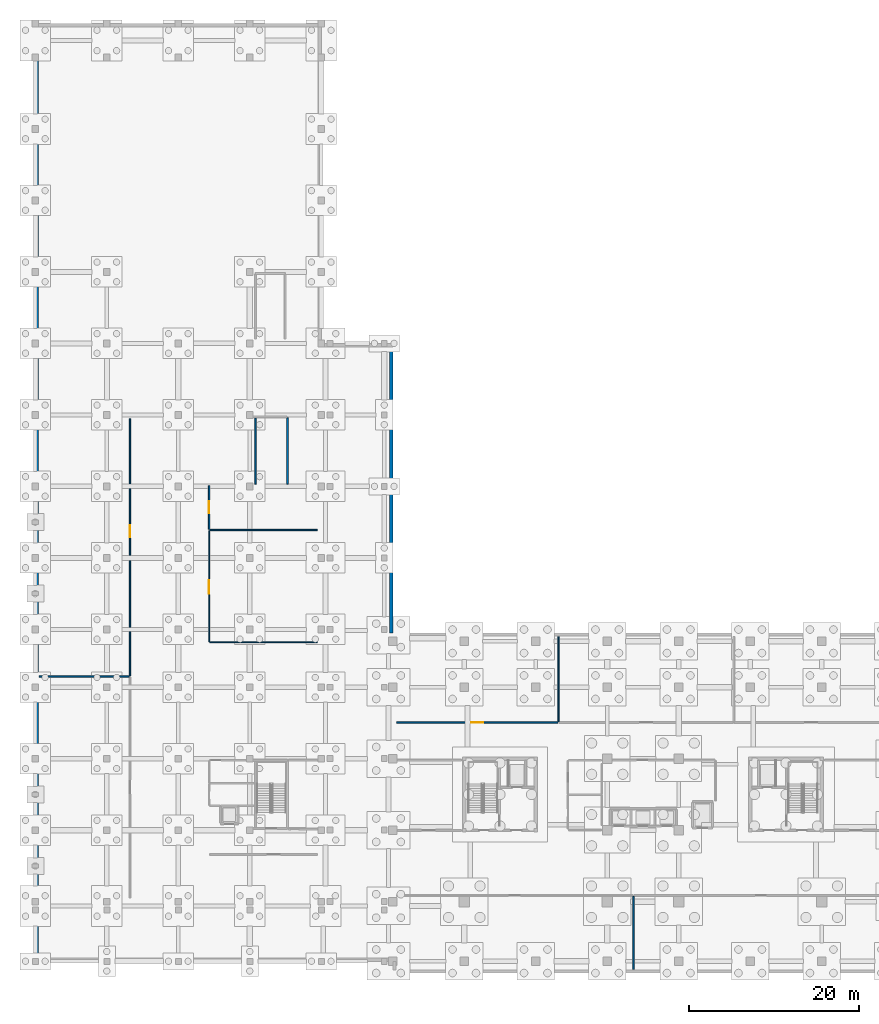
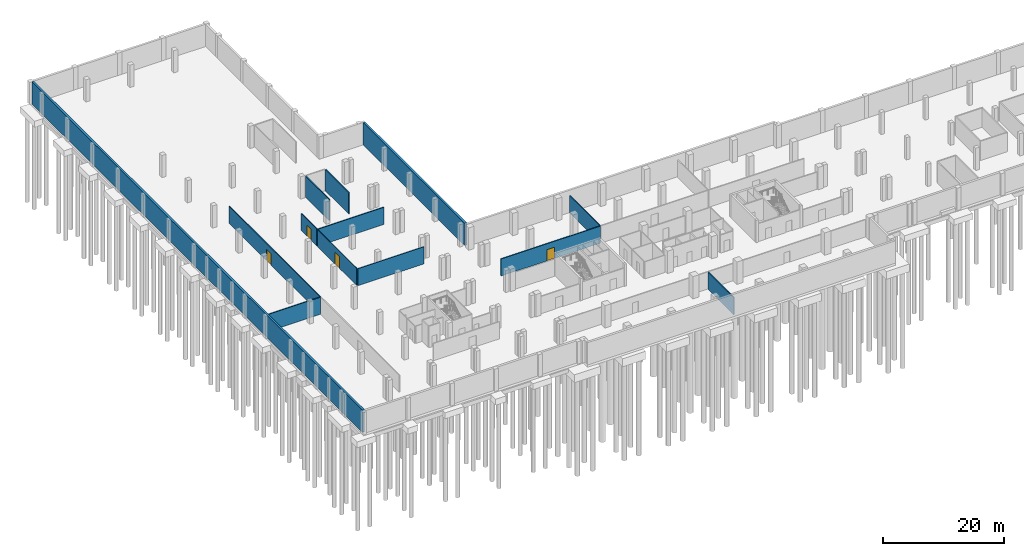
# One storey, part 11 of 17: 13 walls, 4 doors, 4 openings.
"""IFC4 building model written with IfcOpenShell, lengths in metres."""

import ifcopenshell
import ifcopenshell.guid

model = None  # the IFC model being written
_history = None  # IfcOwnerHistory: only IFC2X3 demands one
_inside = {}  # id of a spatial element -> (the spatial element, [elements in it])
_under = {}  # id of a project, library or spatial element -> (it, [spatial elements below it])
_declared = {}  # id of a project -> (the project, [libraries it declares])
_typed = {}  # id of a type object -> (the type object, [elements of that type])
_made_of = {}  # id of a material, layer set ... -> (it, [elements and type objects made of it])


def new_model(schema):
    """Start an empty IFC model of exactly this schema.

    Asked for "IFC4X3", IfcOpenShell would pick the latest addendum, in which some entities
    have other attributes; the version numbers below select the first issue.
    IFC2X3 requires an IfcOwnerHistory on every rooted entity: one is made here for all.
    """
    global model, _history
    if schema == "IFC4X3":
        model = ifcopenshell.file(schema_version=(4, 3, 0, 0))
    else:
        model = ifcopenshell.file(schema=schema)
    _inside.clear()
    _under.clear()
    _declared.clear()
    _typed.clear()
    _made_of.clear()
    _history = None
    if model.schema == "IFC2X3":
        org = make("IfcOrganization", Name="unknown")
        user = make(
            "IfcPersonAndOrganization",
            ThePerson=make("IfcPerson", FamilyName="unknown"),
            TheOrganization=org,
        )
        app = make(
            "IfcApplication",
            ApplicationDeveloper=org,
            Version="unknown",
            ApplicationFullName="unknown",
            ApplicationIdentifier="unknown",
        )
        _history = make(
            "IfcOwnerHistory",
            OwningUser=user,
            OwningApplication=app,
            ChangeAction="ADDED",
            CreationDate=0,
        )
    return model


def make(cls, **values):
    """One entity of the class cls with the attributes given. An attribute that is None is left unset."""
    return model.create_entity(
        cls, **{name: value for name, value in values.items() if value is not None}
    )


def rooted(cls, **values):
    """An entity with a GlobalId (a new one), such as an element, a storey or a relation."""
    return make(cls, GlobalId=ifcopenshell.guid.new(), OwnerHistory=_history, **values)


def si_unit(unit_type, name, prefix=None):
    """IfcSIUnit, for example si_unit("LENGTHUNIT", "METRE", prefix="MILLI")."""
    return make("IfcSIUnit", UnitType=unit_type, Prefix=prefix, Name=name)


def assignment(units):
    """IfcUnitAssignment: the units of a project."""
    return None if units is None else make("IfcUnitAssignment", Units=units)


def point(xyz):
    """IfcCartesianPoint."""
    return None if xyz is None else make("IfcCartesianPoint", Coordinates=xyz)


def direction(xyz):
    """IfcDirection."""
    return None if xyz is None else make("IfcDirection", DirectionRatios=xyz)


def frame(location, z_axis=None, x_axis=None):
    """IfcAxis2Placement3D, a coordinate frame: its origin and axes. An axis left out is left unset."""
    return make(
        "IfcAxis2Placement3D",
        Location=point(location),
        Axis=direction(z_axis),
        RefDirection=direction(x_axis),
    )


def frame_2d(location, x_axis=None):
    """IfcAxis2Placement2D, a coordinate frame in the plane: its origin and x axis."""
    return make(
        "IfcAxis2Placement2D", Location=point(location), RefDirection=direction(x_axis)
    )


def origin():
    """The frame at (0, 0, 0) with its axes left unset."""
    return frame((0.0, 0.0, 0.0))


def place(relative_to, where):
    """IfcLocalPlacement: puts the frame where relative to a parent placement (None: the world)."""
    return make(
        "IfcLocalPlacement", PlacementRelTo=relative_to, RelativePlacement=where
    )


def context(
    kind, dimensions, precision=None, world=None, true_north=None, identifier=None
):
    """IfcGeometricRepresentationContext, for example the 3D "Model" context."""
    return make(
        "IfcGeometricRepresentationContext",
        ContextIdentifier=identifier,
        ContextType=kind,
        CoordinateSpaceDimension=dimensions,
        Precision=precision,
        WorldCoordinateSystem=world,
        TrueNorth=true_north,
    )


def subcontext(parent, identifier, kind, view, scale=None):
    """IfcGeometricRepresentationSubContext, for example "Body" below "Model"."""
    return make(
        "IfcGeometricRepresentationSubContext",
        ContextIdentifier=identifier,
        ContextType=kind,
        ParentContext=parent,
        TargetScale=scale,
        TargetView=view,
    )


def project(units=None, contexts=None):
    """IfcProject with its units and contexts."""
    return rooted(
        "IfcProject",
        Name="project",
        RepresentationContexts=contexts,
        UnitsInContext=assignment(units),
    )


def spatial(cls, under=None, at=None, **own):
    """A site, building, storey or space (cls), placed at a placement, below another one or the project."""
    s = rooted(cls, ObjectPlacement=at, **own)
    if under is not None:
        _under.setdefault(under.id(), (under, []))[1].append(s)
    return s


def profile(cls, at=None, kind="AREA", **sizes):
    """A parametric profile (cls). Its sizes go by their IFC names, for example OverallWidth=200.0."""
    return make(cls, ProfileType=kind, Position=at, **sizes)


def rectangle(**sizes):
    """IfcRectangleProfileDef."""
    return profile("IfcRectangleProfileDef", **sizes)


def extrude(swept, where, along, depth):
    """IfcExtrudedAreaSolid: the profile swept, set in the frame where, extruded along a direction by depth."""
    return make(
        "IfcExtrudedAreaSolid",
        SweptArea=swept,
        Position=where,
        ExtrudedDirection=direction(along),
        Depth=depth,
    )


def shape(context_of_items, identifier, shape_type, items):
    """IfcShapeRepresentation: the items that make up one representation, for example the "Body"."""
    return make(
        "IfcShapeRepresentation",
        ContextOfItems=context_of_items,
        RepresentationIdentifier=identifier,
        RepresentationType=shape_type,
        Items=items,
    )


def material(Name=None, Category=None):
    """IfcMaterial."""
    return make("IfcMaterial", Name=Name, Category=Category)


def layer(
    of_material, thickness, ventilated=None, Name=None, Category=None, Priority=None
):
    """IfcMaterialLayer: one layer of a wall or slab, of a material (None: an air gap)."""
    return make(
        "IfcMaterialLayer",
        Material=of_material,
        LayerThickness=thickness,
        IsVentilated=ventilated,
        Name=Name,
        Category=Category,
        Priority=Priority,
    )


def layer_set(layers, Name=None):
    """IfcMaterialLayerSet."""
    return make("IfcMaterialLayerSet", MaterialLayers=layers, LayerSetName=Name)


def made_of(thing, what):
    """Note that an element or type object is made of a material, layer set ...; save() writes the relation."""
    if what is not None:
        _made_of.setdefault(what.id(), (what, []))[1].append(thing)
    return thing


def type_object(cls, material=None, **own):
    """A type object (cls), such as IfcWallType, which elements share."""
    return made_of(rooted(cls, **own), material)


def element(
    cls,
    number,
    at=None,
    inside=None,
    cuts=None,
    type_object=None,
    material=None,
    context=None,
    identifier="Body",
    shape_type=None,
    held_by="IfcProductDefinitionShape",
    body=None,
    shapes=None,
    **own,
):
    """One element of the class cls, such as IfcWall. Its Tag is "e" and its number.

    at: its placement. inside: the storey or other place that contains it. cuts: it is an
    opening in that element (IfcRelVoidsElement). A single representation is given by context,
    identifier, shape_type and body (its items); several are given by shapes. held_by: the class
    of the entity that holds the representations. save() writes the other relations.
    """
    e = rooted(cls, Tag="e%d" % number, ObjectPlacement=at, **own)
    if body is not None:
        shapes = [shape(context, identifier, shape_type, body)]
    if shapes is not None:
        e.Representation = make(held_by, Representations=shapes)
    if inside is not None:
        _inside.setdefault(inside.id(), (inside, []))[1].append(e)
    if cuts is not None:
        rooted(
            "IfcRelVoidsElement", RelatingBuildingElement=cuts, RelatedOpeningElement=e
        )
    if type_object is not None:
        _typed.setdefault(type_object.id(), (type_object, []))[1].append(e)
    return made_of(e, material)


def fill(opening, filler):
    """IfcRelFillsElement: the door or window that sits in an opening."""
    return rooted(
        "IfcRelFillsElement",
        RelatingOpeningElement=opening,
        RelatedBuildingElement=filler,
    )


def aggregate(whole, parts):
    """IfcRelAggregates: a whole, such as a stair, and the parts it consists of."""
    return rooted("IfcRelAggregates", RelatingObject=whole, RelatedObjects=parts)


def save(model, path):
    """Write the relations noted so far, then the file.

    IfcRelAggregates (storeys below a building ...), IfcRelContainedInSpatialStructure (elements
    in a storey), IfcRelDefinesByType, IfcRelAssociatesMaterial and IfcRelDeclares: one each for
    every whole, place, type object, material and project.
    """
    for whole, parts in _under.values():
        aggregate(whole, parts)
    for where, things in _inside.values():
        rooted(
            "IfcRelContainedInSpatialStructure",
            RelatedElements=things,
            RelatingStructure=where,
        )
    for kind, things in _typed.values():
        rooted("IfcRelDefinesByType", RelatedObjects=things, RelatingType=kind)
    for what, things in _made_of.values():
        rooted("IfcRelAssociatesMaterial", RelatedObjects=things, RelatingMaterial=what)
    for by, libraries in _declared.values():
        rooted("IfcRelDeclares", RelatingContext=by, RelatedDefinitions=libraries)
    model.write(path)


model = new_model("IFC4")

# Units and contexts
model_context = context("Model", 3, precision=1e-05, world=origin(), true_north=direction((0.0, 1.0)))
body_context = subcontext(model_context, "Body", "Model", "MODEL_VIEW")
ifc_project = project(units=[si_unit("LENGTHUNIT", "METRE"), si_unit("AREAUNIT", "SQUARE_METRE"), si_unit("VOLUMEUNIT", "CUBIC_METRE"), si_unit("PLANEANGLEUNIT", "RADIAN"), si_unit("MASSUNIT", "GRAM", prefix="KILO")], contexts=[model_context])

# Site, building, storey
site_placement = place(None, origin())
site = spatial("IfcSite", under=ifc_project, at=site_placement, CompositionType="ELEMENT")
building_placement = place(site_placement, origin())
building = spatial("IfcBuilding", under=site, at=building_placement, Name="Telukmera Botanical Conservatory", CompositionType="ELEMENT")
storey_placement = place(building_placement, frame((0.0, 0.0, -4.5)))
storey = spatial("IfcBuildingStorey", under=building, at=storey_placement, Name="B1", CompositionType="ELEMENT", Elevation=-4.5)

# Wall, opening, door
ifc_material_1 = material(Name="Aluminium framed acoustic glass", Category="aluminium")
ifc_layer_1 = layer(ifc_material_1, 0.1201171875)
ifc_layer_set_1 = layer_set([ifc_layer_1], Name="Aluminium framed acoustic glass")
wall_type_1 = type_object("IfcWallType", Name="WT-GLAZ-120", PredefinedType="PARTITIONING", material=ifc_layer_set_1)
wall_1_placement = place(storey_placement, frame((28.824951171875, 48.14990234375, 0.0), z_axis=(0.0, 0.0, 1.0), x_axis=(0.0, 1.0, 0.0)))
wall_1 = element("IfcWall", 1, at=wall_1_placement, inside=storey, type_object=wall_type_1, Name="B1 Interior Partition 08", PredefinedType="PARTITIONING", context=body_context, shape_type="SweptSolid", body=[
    extrude(rectangle(XDim=13.050048828125, YDim=0.1201171875, at=frame_2d((6.52490234375, 0.0))), origin(), (0.0, 0.0, 1.0), 3.449951171875),
])
opening_1_placement = place(wall_1_placement, frame((5.64990234375, 0.0, 0.0)))
opening_1 = element("IfcOpeningElement", 2, at=opening_1_placement, cuts=wall_1, Name="Opening ID03", PredefinedType="OPENING", context=body_context, shape_type="SweptSolid", body=[
    extrude(rectangle(XDim=1.60009765625, YDim=2.35009765625, at=frame_2d((0.800048828125, 1.175048828125))), frame((0.0, 0.070068359375, 0.0), z_axis=(0.0, -1.0, 0.0), x_axis=(1.0, 0.0, 0.0)), (0.0, 0.0, 1.0), 0.14013671875),
])
ifc_material_2 = material(Name="Anodised aluminium glazed double door", Category="aluminium")
door_type_1 = type_object("IfcDoorType", Name="DT-GAL-160", OperationType="NOTDEFINED", PredefinedType="DOOR", material=ifc_material_2)
door_1_placement = place(opening_1_placement, frame((1.60009765625, 0.0, 0.0), z_axis=(0.0, 0.0, 1.0), x_axis=(-1.0, 0.0, 0.0)))
door_1 = element("IfcDoor", 3, at=door_1_placement, inside=storey, type_object=door_type_1, Name="B1 Exhibition Crate Archive Store Door", OperationType="SINGLE_SWING_RIGHT", OverallHeight=2.35009765625, OverallWidth=1.60009765625, PredefinedType="DOOR", context=body_context, shape_type="SweptSolid", body=[
    extrude(rectangle(XDim=1.60009765625, YDim=2.35009765625, at=frame_2d((0.800048828125, 1.175048828125))), frame((0.0, 0.02490234375, 0.0), z_axis=(0.0, -1.0, 0.0), x_axis=(1.0, 0.0, 0.0)), (0.0, 0.0, 1.0), 0.050048828125),
])
fill(opening_1, door_1)

# Wall
wall_2_placement = place(storey_placement, frame((28.89990234375, 48.074951171875, 0.0), z_axis=(0.0, 0.0, 1.0), x_axis=(1.0, 0.0, 0.0)))
element("IfcWall", 4, at=wall_2_placement, inside=storey, type_object=wall_type_1, Name="B1 Interior Partition 13", PredefinedType="PARTITIONING", context=body_context, shape_type="SweptSolid", body=[
    extrude(rectangle(XDim=12.650146484375, YDim=0.1201171875, at=frame_2d((6.3251953125, 0.0))), origin(), (0.0, 0.0, 1.0), 3.449951171875),
])

# Wall, opening, door
ifc_material_3 = material(Name="Blockwork masonry", Category="masonry")
ifc_layer_2 = layer(ifc_material_3, 0.169921875)
ifc_layer_set_2 = layer_set([ifc_layer_2], Name="Blockwork masonry")
wall_type_2 = type_object("IfcWallType", Name="WT-PLANT-170", PredefinedType="PARTITIONING", material=ifc_layer_set_2)
wall_3_placement = place(storey_placement, frame((28.824951171875, 61.35009765625, 0.0), z_axis=(0.0, 0.0, 1.0), x_axis=(0.0, 1.0, 0.0)))
wall_3 = element("IfcWall", 5, at=wall_3_placement, inside=storey, type_object=wall_type_2, Name="B1 Interior Partition 09", PredefinedType="PARTITIONING", context=body_context, shape_type="SweptSolid", body=[
    extrude(rectangle(XDim=5.14990234375, YDim=0.169921875, at=frame_2d((2.574951171875, 0.0))), origin(), (0.0, 0.0, 1.0), 3.449951171875),
])
opening_2_placement = place(wall_3_placement, frame((1.875, 0.0, 0.0)))
opening_2 = element("IfcOpeningElement", 6, at=opening_2_placement, cuts=wall_3, Name="Opening ID05", PredefinedType="OPENING", context=body_context, shape_type="SweptSolid", body=[
    extrude(rectangle(XDim=1.39990234375, YDim=2.25, at=frame_2d((0.699951171875, 1.125))), frame((0.0, 0.094970703125, 0.0), z_axis=(0.0, -1.0, 0.0), x_axis=(1.0, 0.0, 0.0)), (0.0, 0.0, 1.0), 0.18994140625),
])
ifc_material_4 = material(Name="Louvred steel plant double door", Category="steel")
door_type_2 = type_object("IfcDoorType", Name="DT-PLANT-140", OperationType="NOTDEFINED", PredefinedType="DOOR", material=ifc_material_4)
door_2_placement = place(opening_2_placement, frame((1.39990234375, 0.0, 0.0), z_axis=(0.0, 0.0, 1.0), x_axis=(-1.0, 0.0, 0.0)))
door_2 = element("IfcDoor", 7, at=door_2_placement, inside=storey, type_object=door_type_2, Name="B1 Irrigation Filtration Plant Room Door", OperationType="SINGLE_SWING_LEFT", OverallHeight=2.25, OverallWidth=1.39990234375, PredefinedType="DOOR", context=body_context, shape_type="SweptSolid", body=[
    extrude(rectangle(XDim=1.39990234375, YDim=2.25, at=frame_2d((0.699951171875, 1.125))), frame((0.0, 0.02490234375, 0.0), z_axis=(0.0, -1.0, 0.0), x_axis=(1.0, 0.0, 0.0)), (0.0, 0.0, 1.0), 0.050048828125),
])
fill(opening_2, door_2)

wall_4_placement = place(storey_placement, frame((19.52490234375, 44.14990234375, 0.0), z_axis=(0.0, 0.0, 1.0), x_axis=(0.0, 1.0, 0.0)))
wall_4 = element("IfcWall", 8, at=wall_4_placement, inside=storey, type_object=wall_type_2, Name="B1 Interior Partition 11", PredefinedType="PARTITIONING", context=body_context, shape_type="SweptSolid", body=[
    extrude(rectangle(XDim=30.2001953125, YDim=0.169921875, at=frame_2d((15.10009765625, 0.0))), origin(), (0.0, 0.0, 1.0), 3.449951171875),
])
opening_3_placement = place(wall_4_placement, frame((16.271728515625, 0.0, 0.0)))
opening_3 = element("IfcOpeningElement", 9, at=opening_3_placement, cuts=wall_4, Name="Opening ID05", PredefinedType="OPENING", context=body_context, shape_type="SweptSolid", body=[
    extrude(rectangle(XDim=1.39990234375, YDim=2.25, at=frame_2d((0.699951171875, 1.125))), frame((0.0, 0.094970703125, 0.0), z_axis=(0.0, -1.0, 0.0), x_axis=(1.0, 0.0, 0.0)), (0.0, 0.0, 1.0), 0.18994140625),
])
door_3_placement = place(opening_3_placement, origin())
door_3 = element("IfcDoor", 10, at=door_3_placement, inside=storey, type_object=door_type_2, Name="B1 Conservatory Chilled Screed Plant Door", OperationType="SINGLE_SWING_RIGHT", OverallHeight=2.25, OverallWidth=1.39990234375, PredefinedType="DOOR", context=body_context, shape_type="SweptSolid", body=[
    extrude(rectangle(XDim=1.39990234375, YDim=2.25, at=frame_2d((0.699951171875, 1.125))), frame((0.0, 0.02490234375, 0.0), z_axis=(0.0, -1.0, 0.0), x_axis=(1.0, 0.0, 0.0)), (0.0, 0.0, 1.0), 0.050048828125),
])
fill(opening_3, door_3)

# Walls
wall_5_placement = place(storey_placement, frame((8.85009765625, 44.074951171875, 0.0), z_axis=(0.0, 0.0, 1.0), x_axis=(1.0, 0.0, 0.0)))
element("IfcWall", 11, at=wall_5_placement, inside=storey, type_object=wall_type_2, Name="B1 Interior Partition 12", PredefinedType="PARTITIONING", context=body_context, shape_type="SweptSolid", body=[
    extrude(rectangle(XDim=10.579833984375, YDim=0.169921875, at=frame_2d((5.2900390625, 0.0))), origin(), (0.0, 0.0, 1.0), 3.449951171875),
])
wall_6_placement = place(storey_placement, frame((28.919921875, 61.27490234375, 0.0), z_axis=(0.0, 0.0, 1.0), x_axis=(1.0, 0.0, 0.0)))
element("IfcWall", 12, at=wall_6_placement, inside=storey, type_object=wall_type_2, Name="B1 Interior Partition 14", PredefinedType="PARTITIONING", context=body_context, shape_type="SweptSolid", body=[
    extrude(rectangle(XDim=12.630126953125, YDim=0.169921875, at=frame_2d((6.31494140625, 0.0))), origin(), (0.0, 0.0, 1.0), 3.449951171875),
])
wall_7_placement = place(storey_placement, frame((78.675048828125, 9.64990234375, 0.0), z_axis=(0.0, 0.0, 1.0), x_axis=(0.0, 1.0, 0.0)))
element("IfcWall", 13, at=wall_7_placement, inside=storey, type_object=wall_type_2, Name="B1 Interior Partition 29", PredefinedType="PARTITIONING", context=body_context, shape_type="SweptSolid", body=[
    extrude(rectangle(XDim=8.580078125, YDim=0.169921875, at=frame_2d((4.2900390625, 0.0))), origin(), (0.0, 0.0, 1.0), 3.449951171875),
])

# Wall, opening, door
wall_8_placement = place(storey_placement, frame((50.85009765625, 38.675048828125, 0.0), z_axis=(0.0, 0.0, 1.0), x_axis=(1.0, 0.0, 0.0)))
wall_8 = element("IfcWall", 14, at=wall_8_placement, inside=storey, type_object=wall_type_2, Name="B1 Interior Partition 30", PredefinedType="PARTITIONING", context=body_context, shape_type="SweptSolid", body=[
    extrude(rectangle(XDim=18.949951171875, YDim=0.169921875, at=frame_2d((9.47509765625, 0.0))), origin(), (0.0, 0.0, 1.0), 3.449951171875),
])
opening_4_placement = place(wall_8_placement, frame((8.77490234375, 0.0, 0.0)))
opening_4 = element("IfcOpeningElement", 15, at=opening_4_placement, cuts=wall_8, Name="Opening ID05", PredefinedType="OPENING", context=body_context, shape_type="SweptSolid", body=[
    extrude(rectangle(XDim=1.39990234375, YDim=2.25, at=frame_2d((0.699951171875, 1.125))), frame((0.0, 0.094970703125, 0.0), z_axis=(0.0, -1.0, 0.0), x_axis=(1.0, 0.0, 0.0)), (0.0, 0.0, 1.0), 0.18994140625),
])
door_4_placement = place(opening_4_placement, origin())
door_4 = element("IfcDoor", 16, at=door_4_placement, inside=storey, type_object=door_type_2, Name="B1 Mechanical Chiller Plant Door", OperationType="SINGLE_SWING_LEFT", OverallHeight=2.25, OverallWidth=1.39990234375, PredefinedType="DOOR", context=body_context, shape_type="SweptSolid", body=[
    extrude(rectangle(XDim=1.39990234375, YDim=2.25, at=frame_2d((0.699951171875, 1.125))), frame((0.0, 0.02490234375, 0.0), z_axis=(0.0, -1.0, 0.0), x_axis=(1.0, 0.0, 0.0)), (0.0, 0.0, 1.0), 0.050048828125),
])
fill(opening_4, door_4)

# Walls
wall_9_placement = place(storey_placement, frame((69.875, 38.77001953125, 0.0), z_axis=(0.0, 0.0, 1.0), x_axis=(0.0, 1.0, 0.0)))
element("IfcWall", 17, at=wall_9_placement, inside=storey, type_object=wall_type_2, Name="B1 Interior Partition 33", PredefinedType="PARTITIONING", context=body_context, shape_type="SweptSolid", body=[
    extrude(rectangle(XDim=9.97998046875, YDim=0.169921875, at=frame_2d((4.989990234375, 0.0))), origin(), (0.0, 0.0, 1.0), 3.449951171875),
])
ifc_material_5 = material(Name="Concrete C40/50", Category="concrete")
ifc_layer_3 = layer(ifc_material_5, 0.18994140625)
ifc_layer_set_3 = layer_set([ifc_layer_3], Name="Concrete C40/50")
wall_type_3 = type_object("IfcWallType", Name="WT-STAIR-190", PredefinedType="SOLIDWALL", material=ifc_layer_set_3)
for number, where, z_axis, x_axis, name in (
    (18, (34.25, 66.679931640625, 0.0), (0.0, 0.0, 1.0), (0.0, 1.0, 0.0), "B1 Stair ST4 Substructure W Wall"),
    (19, (38.030029296875, 66.679931640625, 0.0), (0.0, 0.0, 1.0), (0.0, 1.0, 0.0), "B1 Stair ST4 Substructure E Wall"),
):
    element("IfcWall", number, at=place(storey_placement, frame(where, z_axis=z_axis, x_axis=x_axis)), inside=storey, type_object=wall_type_3, Name=name, PredefinedType="SOLIDWALL", context=body_context, shape_type="SweptSolid", body=[
        extrude(rectangle(XDim=7.780029296875, YDim=0.18994140625, at=frame_2d((3.89013671875, 0.0))), origin(), (0.0, 0.0, 1.0), 4.300048828125),
    ])
ifc_layer_4 = layer(ifc_material_5, 0.39990234375)
ifc_layer_set_4 = layer_set([ifc_layer_4], Name="Concrete C40/50")
wall_type_4 = type_object("IfcWallType", Name="Wall_RW1", PredefinedType="USERDEFINED", material=ifc_layer_set_4)
wall_10_placement = place(storey_placement, frame((50.199951171875, 49.199951171875, 0.0), z_axis=(0.0, 0.0, 1.0), x_axis=(0.0, 1.0, 0.0)))
element("IfcWall", 20, at=wall_10_placement, inside=storey, type_object=wall_type_4, Name="Basement Perimeter Retaining Wall RW1-12", ObjectType="RETAININGWALL", PredefinedType="USERDEFINED", context=body_context, shape_type="SweptSolid", body=[
    extrude(rectangle(XDim=33.60009765625, YDim=0.39990234375, at=frame_2d((16.800048828125, 0.0))), origin(), (0.0, 0.0, 1.0), 4.5),
])
wall_11_placement = place(storey_placement, frame((8.60009765625, 120.39990234375, 0.0), z_axis=(0.0, 0.0, 1.0), x_axis=(0.0, -1.0, 0.0)))
element("IfcWall", 21, at=wall_11_placement, inside=storey, type_object=wall_type_4, Name="Basement Perimeter Retaining Wall RW1-16", ObjectType="RETAININGWALL", PredefinedType="USERDEFINED", context=body_context, shape_type="SweptSolid", body=[
    extrude(rectangle(XDim=109.39990234375, YDim=0.39990234375, at=frame_2d((54.699951171875, 0.0))), origin(), (0.0, 0.0, 1.0), 4.5),
])

save(model, "model.ifc")
